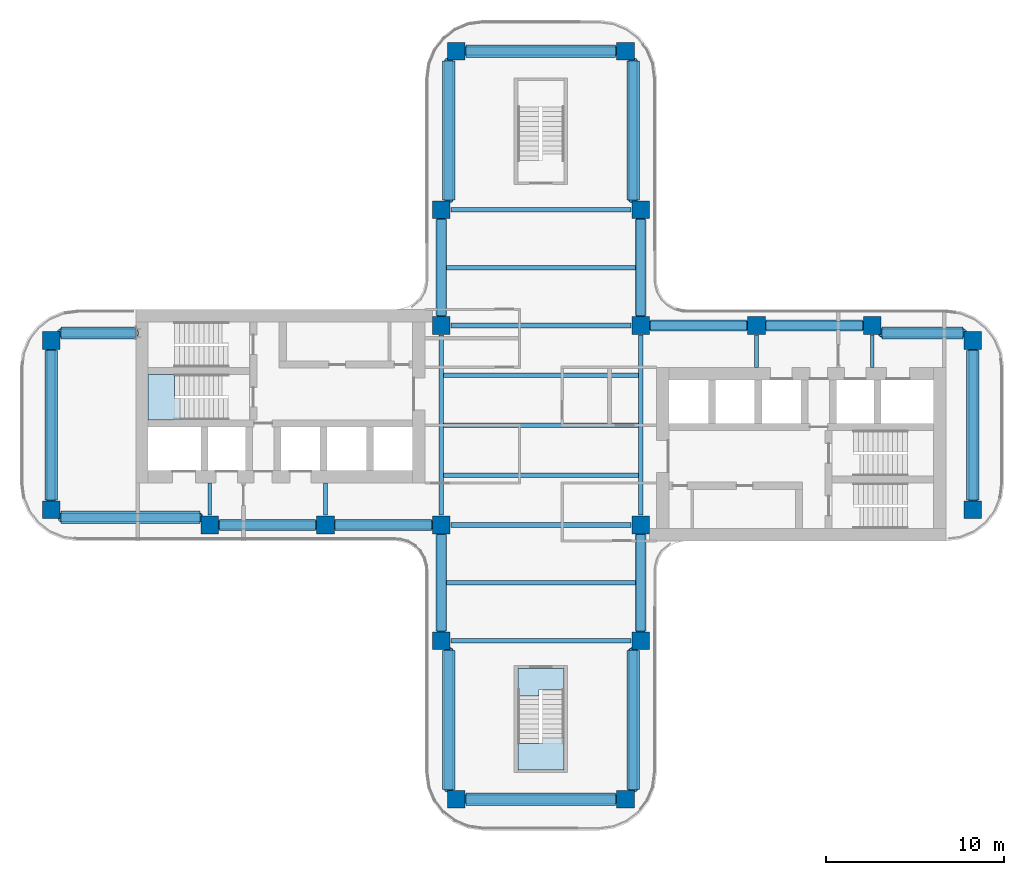
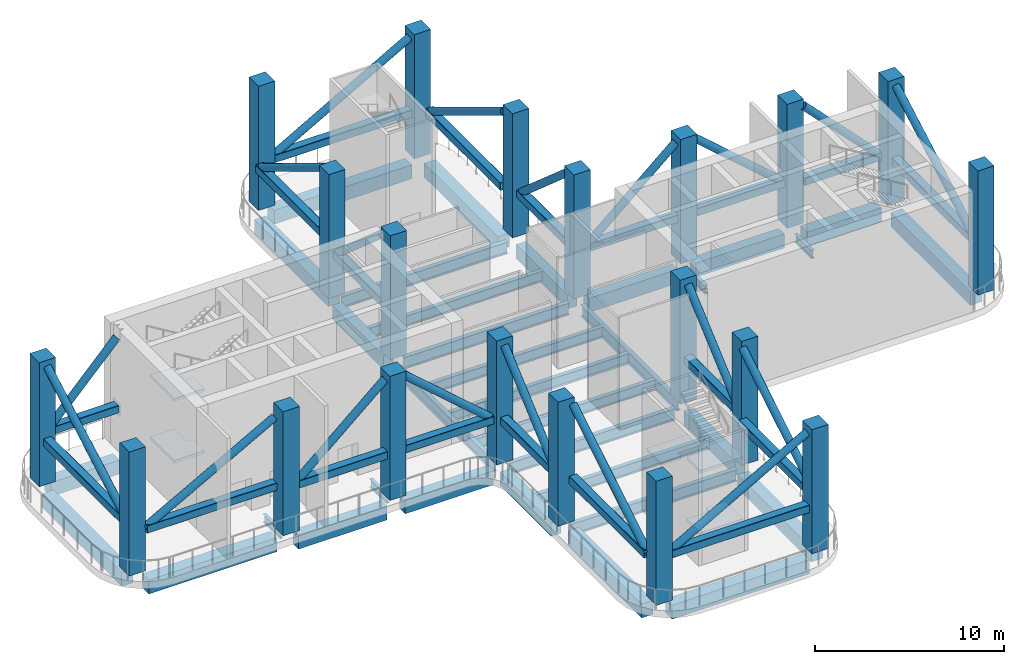
# One storey, part 1 of 9: 53 beams, 20 columns, 19 members, 5 slabs, 2 elements without a shape of their own.
"""IFC4 building model written with IfcOpenShell, lengths in metres."""

from ifc_helpers import new_model, si_unit, direction, frame, origin, origin_2d, place, context, subcontext, project, spatial, polyline, rectangle, hollow_rectangle, hollow_circle, i_section, outline, extrude, source, transform, mapped, material, layer, layer_set, material_profile, profile_set, type_object, element, aggregate, save


model = new_model("IFC4")

# Units and contexts
model_context = context("Model", 3, precision=1e-05, world=origin(), true_north=direction((0.0, 1.0)))
body_context = subcontext(model_context, "Body", "Model", "MODEL_VIEW")
ifc_project = project(units=[si_unit("LENGTHUNIT", "METRE"), si_unit("AREAUNIT", "SQUARE_METRE"), si_unit("VOLUMEUNIT", "CUBIC_METRE"), si_unit("PLANEANGLEUNIT", "RADIAN"), si_unit("MASSUNIT", "GRAM", prefix="KILO")], contexts=[model_context])

# Site, building, storey
site_placement = place(None, origin())
site = spatial("IfcSite", under=ifc_project, at=site_placement, CompositionType="ELEMENT")
building_placement = place(site_placement, origin())
building = spatial("IfcBuilding", under=site, at=building_placement, Name="Trellis Farm Tower", CompositionType="ELEMENT")
storey_placement = place(building_placement, frame((0.0, 0.0, 271.39990234375)))
storey = spatial("IfcBuildingStorey", under=building, at=storey_placement, Name="L61", CompositionType="ELEMENT", Elevation=271.39990234375)

# Columns
ifc_material_1 = material(Name="Concrete C60/75", Category="concrete")
ifc_material_profile_1 = material_profile(ifc_material_1, rectangle(XDim=1.0, YDim=1.0, at=origin_2d()), Name="RC column 1000x1000 C60/75")
ifc_profile_set_1 = profile_set([ifc_material_profile_1], Name="Concrete C60/75")
column_type = type_object("IfcColumnType", Name="RC column 1000x1000 C60/75", PredefinedType="COLUMN", material=ifc_profile_set_1)
shared_shape_1 = source(origin(), body_context, "Body", "SweptSolid", [
    extrude(rectangle(XDim=1.0, YDim=1.0, at=origin_2d()), origin(), (0.0, 0.0, 1.0), 8.0),
])
for number, where, z_axis, x_axis, name in (
    (1, (12.10009765625, 5.60009765625, 0.0), (0.0, 0.0, 1.0), (1.0, 0.0, 0.0), "Column"),
    (2, (18.60009765625, 5.60009765625, 0.0), (0.0, 0.0, 1.0), (1.0, 0.0, 0.0), "Column"),
    (3, (24.25, 4.75, 0.0), (0.0, 0.0, 1.0), (1.0, 0.0, 0.0), "Column"),
    (4, (24.25, -4.75, 0.0), (0.0, 0.0, 1.0), (1.0, 0.0, 0.0), "Column"),
    (5, (-5.60009765625, 12.10009765625, 0.0), (0.0, 0.0, 1.0), (1.0, 0.0, 0.0), "Column"),
    (6, (-4.75, 21.0, 0.0), (0.0, 0.0, 1.0), (1.0, 0.0, 0.0), "Column"),
    (7, (5.60009765625, 12.10009765625, 0.0), (0.0, 0.0, 1.0), (1.0, 0.0, 0.0), "Column"),
    (8, (4.75, 21.0, 0.0), (0.0, 0.0, 1.0), (1.0, 0.0, 0.0), "Column"),
    (9, (5.60009765625, 5.60009765625, 0.0), (0.0, 0.0, 1.0), (1.0, 0.0, 0.0), "Column"),
    (10, (-5.60009765625, 5.60009765625, 0.0), (0.0, 0.0, 1.0), (1.0, 0.0, 0.0), "Column"),
    (11, (5.60009765625, -5.60009765625, 0.0), (0.0, 0.0, 1.0), (1.0, 0.0, 0.0), "Column"),
    (12, (-5.60009765625, -5.60009765625, 0.0), (0.0, 0.0, 1.0), (1.0, 0.0, 0.0), "Column"),
    (13, (5.60009765625, -12.10009765625, 0.0), (0.0, 0.0, 1.0), (1.0, 0.0, 0.0), "Column"),
    (14, (4.75, -21.0, 0.0), (0.0, 0.0, 1.0), (1.0, 0.0, 0.0), "Column"),
    (15, (-5.60009765625, -12.10009765625, 0.0), (0.0, 0.0, 1.0), (1.0, 0.0, 0.0), "Column"),
    (16, (-4.75, -21.0, 0.0), (0.0, 0.0, 1.0), (1.0, 0.0, 0.0), "Column"),
    (17, (-12.10009765625, -5.60009765625, 0.0), (0.0, 0.0, 1.0), (1.0, 0.0, 0.0), "Column"),
    (18, (-18.60009765625, -5.60009765625, 0.0), (0.0, 0.0, 1.0), (1.0, 0.0, 0.0), "Column"),
    (19, (-27.5, -4.75, 0.0), (0.0, 0.0, 1.0), (1.0, 0.0, 0.0), "Column"),
    (20, (-27.5, 4.75, 0.0), (0.0, 0.0, 1.0), (1.0, 0.0, 0.0), "Column"),
):
    element("IfcColumn", number, at=place(storey_placement, frame(where, z_axis=z_axis, x_axis=x_axis)), inside=storey, type_object=column_type, Name=name, PredefinedType="COLUMN", context=body_context, shape_type="MappedRepresentation", body=[
        mapped(shared_shape_1, transform((0.0, 0.0, 0.0))),
    ])

# Members
ifc_material_2 = material(Name="Steel S355", Category="steel")
ifc_material_profile_2 = material_profile(ifc_material_2, hollow_circle(Radius=0.228515625, WallThickness=0.02001953125, at=origin_2d()), Name="CHS 457x20")
ifc_profile_set_2 = profile_set([ifc_material_profile_2], Name="Steel S355")
member_type = type_object("IfcMemberType", Name="CHS 457x20 brace", PredefinedType="BRACE", material=ifc_profile_set_2)
member_1_placement = place(storey_placement, frame((-27.0, -5.175048828125, 2.75), z_axis=(0.875974598958, 0.0, 0.482357234818), x_axis=(0.0, 1.0, 0.0)))
element("IfcMember", 21, at=member_1_placement, inside=storey, type_object=member_type, Name="Outrigger truss diagonal CHS 457x20", PredefinedType="BRACE", context=body_context, shape_type="SweptSolid", body=[
    extrude(hollow_circle(Radius=0.228515625, WallThickness=0.02001953125, at=origin_2d()), origin(), (0.0, 0.0, 1.0), 9.018310546875),
])
member_2_placement = place(storey_placement, frame((-27.0, 5.175048828125, 2.75), z_axis=(0.686623532964, 0.0, 0.72701315255), x_axis=(0.0, 1.0, 0.0)))
element("IfcMember", 22, at=member_2_placement, inside=storey, type_object=member_type, Name="Outrigger truss diagonal CHS 457x20", PredefinedType="BRACE", context=body_context, shape_type="SweptSolid", body=[
    extrude(hollow_circle(Radius=0.228515625, WallThickness=0.02001953125, at=origin_2d()), origin(), (0.0, 0.0, 1.0), 6.189697265625),
])
member_3_placement = place(storey_placement, frame((23.75, 5.175048828125, 2.75), z_axis=(-0.695784026164, 0.0, 0.718251062607), x_axis=(0.0, -1.0, 0.0)))
element("IfcMember", 23, at=member_3_placement, inside=storey, type_object=member_type, Name="Outrigger truss diagonal CHS 457x20", PredefinedType="BRACE", context=body_context, shape_type="SweptSolid", body=[
    extrude(hollow_circle(Radius=0.228515625, WallThickness=0.02001953125, at=origin_2d()), origin(), (0.0, 0.0, 1.0), 6.682861328125),
])

# Beams
ifc_material_profile_3 = material_profile(ifc_material_2, hollow_rectangle(XDim=0.5, YDim=0.5, WallThickness=0.02490234375, InnerFilletRadius=0.02490234375, OuterFilletRadius=0.03759765625, at=origin_2d()), Name="SHS 500x500x25")
ifc_profile_set_3 = profile_set([ifc_material_profile_3], Name="Steel S355")
beam_type_1 = type_object("IfcBeamType", Name="SHS 500x500x25", PredefinedType="BEAM", material=ifc_profile_set_3)
beam_1_placement = place(storey_placement, frame((-27.0, 5.175048828125, 2.75), z_axis=(1.0, 0.0, 0.0), x_axis=(0.0, 1.0, 0.0)))
element("IfcBeam", 24, at=beam_1_placement, inside=storey, type_object=beam_type_1, Name="Outrigger truss chord SHS 500x500x25", PredefinedType="BEAM", context=body_context, shape_type="SweptSolid", body=[
    extrude(hollow_rectangle(XDim=0.5, YDim=0.5, WallThickness=0.02490234375, InnerFilletRadius=0.02490234375, OuterFilletRadius=0.03759765625, at=origin_2d()), origin(), (0.0, 0.0, 1.0), 4.25),
])
ifc_material_profile_4 = material_profile(ifc_material_2, i_section(OverallWidth=0.253662109375, OverallDepth=0.68359375, WebThickness=0.012451171875, FlangeThickness=0.021728515625, FilletRadius=0.01513671875, at=origin_2d()), Name="UB 686x254x140")
ifc_profile_set_4 = profile_set([ifc_material_profile_4], Name="Steel S355")
beam_type_2 = type_object("IfcBeamType", Name="UB 686x254x140 joist", PredefinedType="JOIST", material=ifc_profile_set_4)
shared_shape_2 = source(origin(), body_context, "Body", "SweptSolid", [
    extrude(i_section(OverallWidth=0.253662109375, OverallDepth=0.68359375, WebThickness=0.012451171875, FlangeThickness=0.021728515625, FilletRadius=0.01513671875, at=origin_2d()), origin(), (0.0, 0.0, 1.0), 10.93310546875),
])
for number, where, z_axis, x_axis, name in (
    (25, (-5.466552734375, -2.800048828125, -0.791748046875), (1.0, 0.0, 0.0), (0.0, 1.0, 0.0), "Floor beam"),
    (26, (-5.466552734375, 0.0, -0.791748046875), (1.0, 0.0, 0.0), (0.0, 1.0, 0.0), "Floor beam"),
    (27, (-5.466552734375, 2.800048828125, -0.791748046875), (1.0, 0.0, 0.0), (0.0, 1.0, 0.0), "Floor beam"),
):
    element("IfcBeam", number, at=place(storey_placement, frame(where, z_axis=z_axis, x_axis=x_axis)), inside=storey, type_object=beam_type_2, Name=name, PredefinedType="JOIST", context=body_context, shape_type="MappedRepresentation", body=[
        mapped(shared_shape_2, transform((0.0, 0.0, 0.0))),
    ])
ifc_material_profile_5 = material_profile(ifc_material_2, i_section(OverallWidth=0.2666015625, OverallDepth=0.76220703125, WebThickness=0.014404296875, FlangeThickness=0.021484375, FilletRadius=0.0166015625, at=origin_2d()), Name="UB 762x267x173")
ifc_profile_set_5 = profile_set([ifc_material_profile_5], Name="Steel S355")
beam_type_3 = type_object("IfcBeamType", Name="UB 762x267x173", PredefinedType="BEAM", material=ifc_profile_set_5)
shared_shape_3 = source(origin(), body_context, "Body", "SweptSolid", [
    extrude(i_section(OverallWidth=0.2666015625, OverallDepth=0.76220703125, WebThickness=0.014404296875, FlangeThickness=0.021484375, FilletRadius=0.0166015625, at=origin_2d()), origin(), (0.0, 0.0, 1.0), 10.10009765625),
])
for number, where, z_axis, x_axis, name in (
    (28, (-5.050048828125, -12.10009765625, -0.8310546875), (1.0, 0.0, 0.0), (0.0, 1.0, 0.0), "Girder"),
    (29, (-5.050048828125, -5.60009765625, -0.8310546875), (1.0, 0.0, 0.0), (0.0, 1.0, 0.0), "Girder"),
    (30, (-5.050048828125, 5.60009765625, -0.8310546875), (1.0, 0.0, 0.0), (0.0, 1.0, 0.0), "Girder"),
    (31, (-5.050048828125, 12.10009765625, -0.8310546875), (1.0, 0.0, 0.0), (0.0, 1.0, 0.0), "Girder"),
    (32, (-5.60009765625, -5.050048828125, -0.8310546875), (0.0, 1.0, 0.0), (-1.0, 0.0, 0.0), "Girder"),
    (33, (5.60009765625, -5.050048828125, -0.8310546875), (0.0, 1.0, 0.0), (-1.0, 0.0, 0.0), "Girder"),
):
    element("IfcBeam", number, at=place(storey_placement, frame(where, z_axis=z_axis, x_axis=x_axis)), inside=storey, type_object=beam_type_3, Name=name, PredefinedType="BEAM", context=body_context, shape_type="MappedRepresentation", body=[
        mapped(shared_shape_3, transform((0.0, 0.0, 0.0))),
    ])
shared_shape_4 = source(origin(), body_context, "Body", "SweptSolid", [
    extrude(i_section(OverallWidth=0.253662109375, OverallDepth=0.68359375, WebThickness=0.012451171875, FlangeThickness=0.021728515625, FilletRadius=0.01513671875, at=origin_2d()), origin(), (0.0, 0.0, 1.0), 10.60009765625),
])
for number, where, z_axis, x_axis, name in (
    (34, (-5.300048828125, -8.85009765625, -0.791748046875), (1.0, 0.0, 0.0), (0.0, 1.0, 0.0), "Floor beam"),
    (35, (-5.300048828125, 8.85009765625, -0.791748046875), (1.0, 0.0, 0.0), (0.0, 1.0, 0.0), "Floor beam"),
):
    element("IfcBeam", number, at=place(storey_placement, frame(where, z_axis=z_axis, x_axis=x_axis)), inside=storey, type_object=beam_type_2, Name=name, PredefinedType="JOIST", context=body_context, shape_type="MappedRepresentation", body=[
        mapped(shared_shape_4, transform((0.0, 0.0, 0.0))),
    ])
ifc_material_profile_6 = material_profile(ifc_material_1, rectangle(XDim=0.60009765625, YDim=0.89990234375, at=origin_2d()), Name="RC spandrel beam 600x900 C60/75")
ifc_profile_set_6 = profile_set([ifc_material_profile_6], Name="Concrete C60/75")
beam_type_4 = type_object("IfcBeamType", Name="RC spandrel beam 600x900 C60/75", PredefinedType="SPANDREL", material=ifc_profile_set_6)
shared_shape_5 = source(origin(), body_context, "Body", "SweptSolid", [
    extrude(rectangle(XDim=0.60009765625, YDim=0.89990234375, at=origin_2d()), origin(), (0.0, 0.0, 1.0), 5.400146484375),
])
for number, where, z_axis, x_axis, name in (
    (36, (-18.050048828125, -5.60009765625, -0.89990234375), (1.0, 0.0, 0.0), (0.0, 1.0, 0.0), "Girder"),
    (37, (-11.550048828125, -5.60009765625, -0.89990234375), (1.0, 0.0, 0.0), (0.0, 1.0, 0.0), "Girder"),
    (38, (6.14990234375, 5.60009765625, -0.89990234375), (1.0, 0.0, 0.0), (0.0, 1.0, 0.0), "Girder"),
    (39, (12.64990234375, 5.60009765625, -0.89990234375), (1.0, 0.0, 0.0), (0.0, 1.0, 0.0), "Girder"),
    (40, (-5.60009765625, -11.550048828125, -0.89990234375), (0.0, 1.0, 0.0), (-1.0, 0.0, 0.0), "Girder"),
    (41, (-5.60009765625, 6.14990234375, -0.89990234375), (0.0, 1.0, 0.0), (-1.0, 0.0, 0.0), "Girder"),
    (42, (5.60009765625, -11.550048828125, -0.89990234375), (0.0, 1.0, 0.0), (-1.0, 0.0, 0.0), "Girder"),
    (43, (5.60009765625, 6.14990234375, -0.89990234375), (0.0, 1.0, 0.0), (-1.0, 0.0, 0.0), "Girder"),
):
    element("IfcBeam", number, at=place(storey_placement, frame(where, z_axis=z_axis, x_axis=x_axis)), inside=storey, type_object=beam_type_4, Name=name, PredefinedType="SPANDREL", context=body_context, shape_type="MappedRepresentation", body=[
        mapped(shared_shape_5, transform((0.0, 0.0, 0.0))),
    ])
ifc_material_profile_7 = material_profile(ifc_material_1, rectangle(XDim=0.699951171875, YDim=0.89990234375, at=origin_2d()), Name="RC spandrel beam 700x900 C60/75")
ifc_profile_set_7 = profile_set([ifc_material_profile_7], Name="Concrete C60/75")
beam_type_5 = type_object("IfcBeamType", Name="RC spandrel beam 700x900 C60/75", PredefinedType="SPANDREL", material=ifc_profile_set_7)
shared_shape_6 = source(origin(), body_context, "Body", "SweptSolid", [
    extrude(rectangle(XDim=0.699951171875, YDim=0.89990234375, at=origin_2d()), origin(), (0.0, 0.0, 1.0), 8.39990234375),
])
for number, where, z_axis, x_axis, name in (
    (44, (-4.199951171875, -21.0, -0.89990234375), (1.0, 0.0, 0.0), (0.0, 1.0, 0.0), "Girder"),
    (45, (-4.199951171875, 21.0, -0.89990234375), (1.0, 0.0, 0.0), (0.0, 1.0, 0.0), "Girder"),
    (46, (-27.5, -4.199951171875, -0.89990234375), (0.0, 1.0, 0.0), (-1.0, 0.0, 0.0), "Girder"),
    (47, (24.25, -4.199951171875, -0.89990234375), (0.0, 1.0, 0.0), (-1.0, 0.0, 0.0), "Girder"),
):
    element("IfcBeam", number, at=place(storey_placement, frame(where, z_axis=z_axis, x_axis=x_axis)), inside=storey, type_object=beam_type_5, Name=name, PredefinedType="SPANDREL", context=body_context, shape_type="MappedRepresentation", body=[
        mapped(shared_shape_6, transform((0.0, 0.0, 0.0))),
    ])
shared_shape_7 = source(origin(), body_context, "Body", "SweptSolid", [
    extrude(rectangle(XDim=0.699951171875, YDim=0.89990234375, at=origin_2d()), origin(), (0.0, 0.0, 1.0), 4.550048828125),
])
beam_2_placement = place(storey_placement, frame((19.14990234375, 5.175048828125, -0.89990234375), z_axis=(1.0, 0.0, 0.0), x_axis=(0.0, 1.0, 0.0)))
element("IfcBeam", 48, at=beam_2_placement, inside=storey, type_object=beam_type_5, Name="Girder", PredefinedType="SPANDREL", context=body_context, shape_type="MappedRepresentation", body=[
    mapped(shared_shape_7, transform((0.0, 0.0, 0.0))),
])
shared_shape_8 = source(origin(), body_context, "Body", "SweptSolid", [
    extrude(rectangle(XDim=0.699951171875, YDim=0.89990234375, at=origin_2d()), origin(), (0.0, 0.0, 1.0), 7.800048828125),
])
for number, where, z_axis, x_axis, name in (
    (49, (-26.949951171875, -5.175048828125, -0.89990234375), (1.0, 0.0, 0.0), (0.0, 1.0, 0.0), "Girder"),
    (50, (-5.175048828125, -20.449951171875, -0.89990234375), (0.0, 1.0, 0.0), (-1.0, 0.0, 0.0), "Girder"),
    (51, (-5.175048828125, 12.64990234375, -0.89990234375), (0.0, 1.0, 0.0), (-1.0, 0.0, 0.0), "Girder"),
    (52, (5.175048828125, -20.449951171875, -0.89990234375), (0.0, 1.0, 0.0), (-1.0, 0.0, 0.0), "Girder"),
    (53, (5.175048828125, 12.64990234375, -0.89990234375), (0.0, 1.0, 0.0), (-1.0, 0.0, 0.0), "Girder"),
):
    element("IfcBeam", number, at=place(storey_placement, frame(where, z_axis=z_axis, x_axis=x_axis)), inside=storey, type_object=beam_type_5, Name=name, PredefinedType="SPANDREL", context=body_context, shape_type="MappedRepresentation", body=[
        mapped(shared_shape_8, transform((0.0, 0.0, 0.0))),
    ])
shared_shape_9 = source(origin(), body_context, "Body", "SweptSolid", [
    extrude(rectangle(XDim=0.699951171875, YDim=0.89990234375, at=origin_2d()), origin(), (0.0, 0.0, 1.0), 4.199951171875),
])
beam_3_placement = place(storey_placement, frame((-26.949951171875, 5.175048828125, -0.89990234375), z_axis=(1.0, 0.0, 0.0), x_axis=(0.0, 1.0, 0.0)))
element("IfcBeam", 54, at=beam_3_placement, inside=storey, type_object=beam_type_5, Name="Girder", PredefinedType="SPANDREL", context=body_context, shape_type="MappedRepresentation", body=[
    mapped(shared_shape_9, transform((0.0, 0.0, 0.0))),
])
ifc_material_profile_8 = material_profile(ifc_material_2, i_section(OverallWidth=0.209228515625, OverallDepth=0.533203125, WebThickness=0.010009765625, FlangeThickness=0.015625, FilletRadius=0.0126953125, at=origin_2d()), Name="UB 533x210x92")
ifc_profile_set_8 = profile_set([ifc_material_profile_8], Name="Steel S355")
beam_type_6 = type_object("IfcBeamType", Name="UB 533x210x92", PredefinedType="BEAM", material=ifc_profile_set_8)
shared_shape_10 = source(origin(), body_context, "Body", "SweptSolid", [
    extrude(i_section(OverallWidth=0.209228515625, OverallDepth=0.533203125, WebThickness=0.010009765625, FlangeThickness=0.015625, FilletRadius=0.0126953125, at=origin_2d()), origin(), (0.0, 0.0, 1.0), 1.800048828125),
])
for number, where, z_axis, x_axis, name in (
    (55, (-18.60009765625, -5.050048828125, -0.716552734375), (0.0, 1.0, 0.0), (-1.0, 0.0, 0.0), "Girder"),
    (56, (-12.10009765625, -5.050048828125, -0.716552734375), (0.0, 1.0, 0.0), (-1.0, 0.0, 0.0), "Girder"),
    (57, (12.10009765625, 3.25, -0.716552734375), (0.0, 1.0, 0.0), (-1.0, 0.0, 0.0), "Girder"),
    (58, (18.60009765625, 3.25, -0.716552734375), (0.0, 1.0, 0.0), (-1.0, 0.0, 0.0), "Girder"),
):
    element("IfcBeam", number, at=place(storey_placement, frame(where, z_axis=z_axis, x_axis=x_axis)), inside=storey, type_object=beam_type_6, Name=name, PredefinedType="BEAM", context=body_context, shape_type="MappedRepresentation", body=[
        mapped(shared_shape_10, transform((0.0, 0.0, 0.0))),
    ])
shared_shape_11 = source(origin(), body_context, "Body", "SweptSolid", [
    extrude(hollow_rectangle(XDim=0.5, YDim=0.5, WallThickness=0.02490234375, InnerFilletRadius=0.02490234375, OuterFilletRadius=0.03759765625, at=origin_2d()), origin(), (0.0, 0.0, 1.0), 5.5),
])
for number, where, z_axis, x_axis, name in (
    (59, (-18.10009765625, -5.60009765625, 2.75), (1.0, 0.0, 0.0), (0.0, 1.0, 0.0), "Outrigger truss chord SHS 500x500x25"),
    (60, (-11.60009765625, -5.60009765625, 2.75), (1.0, 0.0, 0.0), (0.0, 1.0, 0.0), "Outrigger truss chord SHS 500x500x25"),
    (61, (6.10009765625, 5.60009765625, 2.75), (1.0, 0.0, 0.0), (0.0, 1.0, 0.0), "Outrigger truss chord SHS 500x500x25"),
    (62, (12.60009765625, 5.60009765625, 2.75), (1.0, 0.0, 0.0), (0.0, 1.0, 0.0), "Outrigger truss chord SHS 500x500x25"),
    (63, (-5.60009765625, -11.60009765625, 2.75), (0.0, 1.0, 0.0), (-1.0, 0.0, 0.0), "Outrigger truss chord SHS 500x500x25"),
    (64, (-5.60009765625, 6.10009765625, 2.75), (0.0, 1.0, 0.0), (-1.0, 0.0, 0.0), "Outrigger truss chord SHS 500x500x25"),
    (65, (5.60009765625, -11.60009765625, 2.75), (0.0, 1.0, 0.0), (-1.0, 0.0, 0.0), "Outrigger truss chord SHS 500x500x25"),
    (66, (5.60009765625, 6.10009765625, 2.75), (0.0, 1.0, 0.0), (-1.0, 0.0, 0.0), "Outrigger truss chord SHS 500x500x25"),
):
    element("IfcBeam", number, at=place(storey_placement, frame(where, z_axis=z_axis, x_axis=x_axis)), inside=storey, type_object=beam_type_1, Name=name, PredefinedType="BEAM", context=body_context, shape_type="MappedRepresentation", body=[
        mapped(shared_shape_11, transform((0.0, 0.0, 0.0))),
    ])
shared_shape_12 = source(origin(), body_context, "Body", "SweptSolid", [
    extrude(hollow_rectangle(XDim=0.5, YDim=0.5, WallThickness=0.02490234375, InnerFilletRadius=0.02490234375, OuterFilletRadius=0.03759765625, at=origin_2d()), origin(), (0.0, 0.0, 1.0), 8.5),
])
for number, where, z_axis, x_axis, name in (
    (67, (-4.25, -21.0, 2.75), (1.0, 0.0, 0.0), (0.0, 1.0, 0.0), "Belt truss chord SHS 500x500x25"),
    (68, (-4.25, 21.0, 2.75), (1.0, 0.0, 0.0), (0.0, 1.0, 0.0), "Belt truss chord SHS 500x500x25"),
    (69, (-27.5, -4.25, 2.75), (0.0, 1.0, 0.0), (-1.0, 0.0, 0.0), "Belt truss chord SHS 500x500x25"),
    (70, (24.25, -4.25, 2.75), (0.0, 1.0, 0.0), (-1.0, 0.0, 0.0), "Belt truss chord SHS 500x500x25"),
):
    element("IfcBeam", number, at=place(storey_placement, frame(where, z_axis=z_axis, x_axis=x_axis)), inside=storey, type_object=beam_type_1, Name=name, PredefinedType="BEAM", context=body_context, shape_type="MappedRepresentation", body=[
        mapped(shared_shape_12, transform((0.0, 0.0, 0.0))),
    ])
shared_shape_13 = source(origin(), body_context, "Body", "SweptSolid", [
    extrude(hollow_rectangle(XDim=0.5, YDim=0.5, WallThickness=0.02490234375, InnerFilletRadius=0.02490234375, OuterFilletRadius=0.03759765625, at=origin_2d()), origin(), (0.0, 0.0, 1.0), 7.89990234375),
])
for number, where, z_axis, x_axis, name in (
    (71, (-27.0, -5.175048828125, 2.75), (1.0, 0.0, 0.0), (0.0, 1.0, 0.0), "Outrigger truss chord SHS 500x500x25"),
    (72, (-5.175048828125, -20.5, 2.75), (0.0, 1.0, 0.0), (-1.0, 0.0, 0.0), "Outrigger truss chord SHS 500x500x25"),
    (73, (-5.175048828125, 12.60009765625, 2.75), (0.0, 1.0, 0.0), (-1.0, 0.0, 0.0), "Outrigger truss chord SHS 500x500x25"),
    (74, (5.175048828125, -20.5, 2.75), (0.0, 1.0, 0.0), (-1.0, 0.0, 0.0), "Outrigger truss chord SHS 500x500x25"),
    (75, (5.175048828125, 12.60009765625, 2.75), (0.0, 1.0, 0.0), (-1.0, 0.0, 0.0), "Outrigger truss chord SHS 500x500x25"),
):
    element("IfcBeam", number, at=place(storey_placement, frame(where, z_axis=z_axis, x_axis=x_axis)), inside=storey, type_object=beam_type_1, Name=name, PredefinedType="BEAM", context=body_context, shape_type="MappedRepresentation", body=[
        mapped(shared_shape_13, transform((0.0, 0.0, 0.0))),
    ])

# Members
shared_shape_14 = source(origin(), body_context, "Body", "SweptSolid", [
    extrude(hollow_circle(Radius=0.228515625, WallThickness=0.02001953125, at=origin_2d()), origin(), (0.0, 0.0, 1.0), 7.300048828125),
])
for number, where, z_axis, x_axis, name in (
    (76, (-18.10009765625, -5.60009765625, 2.75), (0.753421343899, 0.0, 0.65753804343), (0.0, 1.0, 0.0), "Outrigger truss diagonal CHS 457x20"),
    (77, (-6.10009765625, -5.60009765625, 2.75), (-0.753421343899, 0.0, 0.65753804343), (0.0, -1.0, 0.0), "Outrigger truss diagonal CHS 457x20"),
    (78, (6.10009765625, 5.60009765625, 2.75), (0.753421343899, 0.0, 0.65753804343), (0.0, 1.0, 0.0), "Outrigger truss diagonal CHS 457x20"),
    (79, (18.10009765625, 5.60009765625, 2.75), (-0.753421343899, 0.0, 0.65753804343), (0.0, -1.0, 0.0), "Outrigger truss diagonal CHS 457x20"),
    (80, (-5.60009765625, -11.60009765625, 2.75), (0.0, 0.753421343899, 0.65753804343), (-1.0, 0.0, 0.0), "Outrigger truss diagonal CHS 457x20"),
    (81, (-5.60009765625, 11.60009765625, 2.75), (0.0, -0.753421343899, 0.65753804343), (1.0, 0.0, 0.0), "Outrigger truss diagonal CHS 457x20"),
    (82, (5.60009765625, -11.60009765625, 2.75), (0.0, 0.753421343899, 0.65753804343), (-1.0, 0.0, 0.0), "Outrigger truss diagonal CHS 457x20"),
    (83, (5.60009765625, 11.60009765625, 2.75), (0.0, -0.753421343899, 0.65753804343), (1.0, 0.0, 0.0), "Outrigger truss diagonal CHS 457x20"),
):
    element("IfcMember", number, at=place(storey_placement, frame(where, z_axis=z_axis, x_axis=x_axis)), inside=storey, type_object=member_type, Name=name, PredefinedType="BRACE", context=body_context, shape_type="MappedRepresentation", body=[
        mapped(shared_shape_14, transform((0.0, 0.0, 0.0))),
    ])

# Beam
shared_shape_15 = source(origin(), body_context, "Body", "SweptSolid", [
    extrude(hollow_rectangle(XDim=0.5, YDim=0.5, WallThickness=0.02490234375, InnerFilletRadius=0.02490234375, OuterFilletRadius=0.03759765625, at=origin_2d()), origin(), (0.0, 0.0, 1.0), 4.64990234375),
])
beam_4_placement = place(storey_placement, frame((19.10009765625, 5.175048828125, 2.75), z_axis=(1.0, 0.0, 0.0), x_axis=(0.0, 1.0, 0.0)))
element("IfcBeam", 84, at=beam_4_placement, inside=storey, type_object=beam_type_1, Name="Outrigger truss chord SHS 500x500x25", PredefinedType="BEAM", context=body_context, shape_type="MappedRepresentation", body=[
    mapped(shared_shape_15, transform((0.0, 0.0, 0.0))),
])

# Members
shared_shape_16 = source(origin(), body_context, "Body", "SweptSolid", [
    extrude(hollow_circle(Radius=0.228515625, WallThickness=0.02001953125, at=origin_2d()), origin(), (0.0, 0.0, 1.0), 9.76171875),
])
for number, where, z_axis, x_axis, name in (
    (85, (-4.25, -21.0, 2.75), (0.870751425374, 0.0, 0.491723453995), (0.0, 1.0, 0.0), "Belt truss diagonal CHS 457x20"),
    (86, (-4.25, 21.0, 2.75), (0.870751425374, 0.0, 0.491723453995), (0.0, 1.0, 0.0), "Belt truss diagonal CHS 457x20"),
    (87, (-27.5, -4.25, 2.75), (0.0, 0.870751425374, 0.491723453995), (-1.0, 0.0, 0.0), "Belt truss diagonal CHS 457x20"),
    (88, (24.25, -4.25, 2.75), (0.0, 0.870751425374, 0.491723453995), (-1.0, 0.0, 0.0), "Belt truss diagonal CHS 457x20"),
):
    element("IfcMember", number, at=place(storey_placement, frame(where, z_axis=z_axis, x_axis=x_axis)), inside=storey, type_object=member_type, Name=name, PredefinedType="BRACE", context=body_context, shape_type="MappedRepresentation", body=[
        mapped(shared_shape_16, transform((0.0, 0.0, 0.0))),
    ])
shared_shape_17 = source(origin(), body_context, "Body", "SweptSolid", [
    extrude(hollow_circle(Radius=0.228515625, WallThickness=0.02001953125, at=origin_2d()), origin(), (0.0, 0.0, 1.0), 9.243896484375),
])
for number, where, z_axis, x_axis, name in (
    (89, (-5.175048828125, -20.5, 2.75), (0.0, 0.854610882942, 0.519268946459), (-1.0, 0.0, 0.0), "Outrigger truss diagonal CHS 457x20"),
    (90, (-5.175048828125, 20.5, 2.75), (0.0, -0.854610882942, 0.519268946459), (1.0, 0.0, 0.0), "Outrigger truss diagonal CHS 457x20"),
    (91, (5.175048828125, -20.5, 2.75), (0.0, 0.854610882942, 0.519268946459), (-1.0, 0.0, 0.0), "Outrigger truss diagonal CHS 457x20"),
    (92, (5.175048828125, 20.5, 2.75), (0.0, -0.854610882942, 0.519268946459), (1.0, 0.0, 0.0), "Outrigger truss diagonal CHS 457x20"),
):
    element("IfcMember", number, at=place(storey_placement, frame(where, z_axis=z_axis, x_axis=x_axis)), inside=storey, type_object=member_type, Name=name, PredefinedType="BRACE", context=body_context, shape_type="MappedRepresentation", body=[
        mapped(shared_shape_17, transform((0.0, 0.0, 0.0))),
    ])

# Stair, slabs
ifc_material_3 = material(Name="Concrete C50/60", Category="concrete")
stair_type = type_object("IfcStairType", Name="CORE EXIT STAIR 48 RISERS 167 MM", PredefinedType="HALF_TURN_STAIR", material=ifc_material_3)
placement_1 = place(storey_placement, origin())
stair_1 = element("IfcStair", 93, at=placement_1, inside=storey, type_object=stair_type, Name="Exit stair S", PredefinedType="HALF_TURN_STAIR")
ifc_layer = layer(ifc_material_3, 0.179931640625)
ifc_layer_set = layer_set([ifc_layer], Name="CORE STAIR LANDING 180 CONCRETE C50/60")
slab_type = type_object("IfcSlabType", Name="CORE STAIR LANDING 180 CONCRETE C50/60", PredefinedType="LANDING", material=ifc_layer_set)
shared_shape_18 = source(origin(), body_context, "Body", "SweptSolid", [
    extrude(outline(polyline([(1.300048828125, -19.35009765625), (-1.300048828125, -19.35009765625), (-1.300048828125, -17.875), (-1.300048828125, -17.864990234375), (-0.10009765625, -17.864990234375), (-0.10009765625, -17.875), (0.10009765625, -17.875), (0.10009765625, -17.512451171875), (1.300048828125, -17.512451171875), (1.300048828125, -17.875), (1.300048828125, -19.35009765625)])), origin(), (0.0, 0.0, 1.0), 0.179931640625),
])
placement_2 = place(storey_placement, frame((0.0, 0.0, 1.820068359375)))
slab_1 = element("IfcSlab", 94, at=placement_2, type_object=slab_type, Name="STS landing 1", PredefinedType="LANDING", context=body_context, shape_type="MappedRepresentation", body=[
    mapped(shared_shape_18, transform((0.0, 0.0, 0.0))),
])
placement_3 = place(storey_placement, frame((0.0, 0.0, 5.820068359375)))
slab_2 = element("IfcSlab", 95, at=placement_3, type_object=slab_type, Name="STS landing 3", PredefinedType="LANDING", context=body_context, shape_type="MappedRepresentation", body=[
    mapped(shared_shape_18, transform((0.0, 0.0, 0.0))),
])
shared_shape_19 = source(origin(), body_context, "Body", "SweptSolid", [
    extrude(outline(polyline([(-0.10009765625, -15.21240234375), (-1.300048828125, -15.21240234375), (-1.300048828125, -14.85009765625), (-1.300048828125, -13.64990234375), (1.300048828125, -13.64990234375), (1.300048828125, -14.85009765625), (1.300048828125, -14.860107421875), (0.10009765625, -14.860107421875), (0.10009765625, -14.85009765625), (-0.10009765625, -14.85009765625), (-0.10009765625, -15.21240234375)])), origin(), (0.0, 0.0, 1.0), 0.179931640625),
])
slab_3_placement = place(storey_placement, frame((0.0, 0.0, 3.820068359375)))
slab_3 = element("IfcSlab", 96, at=slab_3_placement, type_object=slab_type, Name="STS landing 2", PredefinedType="LANDING", context=body_context, shape_type="MappedRepresentation", body=[
    mapped(shared_shape_19, transform((0.0, 0.0, 0.0))),
])
aggregate(stair_1, [slab_1, slab_3, slab_2])

stair_2 = element("IfcStair", 97, at=placement_1, inside=storey, type_object=stair_type, Name="Exit stair W2", PredefinedType="HALF_TURN_STAIR")
shared_shape_20 = source(origin(), body_context, "Body", "SweptSolid", [
    extrude(outline(polyline([(-20.21240234375, 1.5), (-20.21240234375, 0.300048828125), (-20.574951171875, 0.300048828125), (-22.050048828125, 0.300048828125), (-22.050048828125, 2.85009765625), (-20.574951171875, 2.85009765625), (-20.56494140625, 2.85009765625), (-20.56494140625, 1.64990234375), (-20.574951171875, 1.64990234375), (-20.574951171875, 1.5), (-20.21240234375, 1.5)])), origin(), (0.0, 0.0, 1.0), 0.179931640625),
])
slab_4 = element("IfcSlab", 98, at=placement_2, type_object=slab_type, Name="STW2 landing 1", PredefinedType="LANDING", context=body_context, shape_type="MappedRepresentation", body=[
    mapped(shared_shape_20, transform((0.0, 0.0, 0.0))),
])
slab_5 = element("IfcSlab", 99, at=placement_3, type_object=slab_type, Name="STW2 landing 3", PredefinedType="LANDING", context=body_context, shape_type="MappedRepresentation", body=[
    mapped(shared_shape_20, transform((0.0, 0.0, 0.0))),
])
aggregate(stair_2, [slab_4, slab_5])

save(model, "model.ifc")
